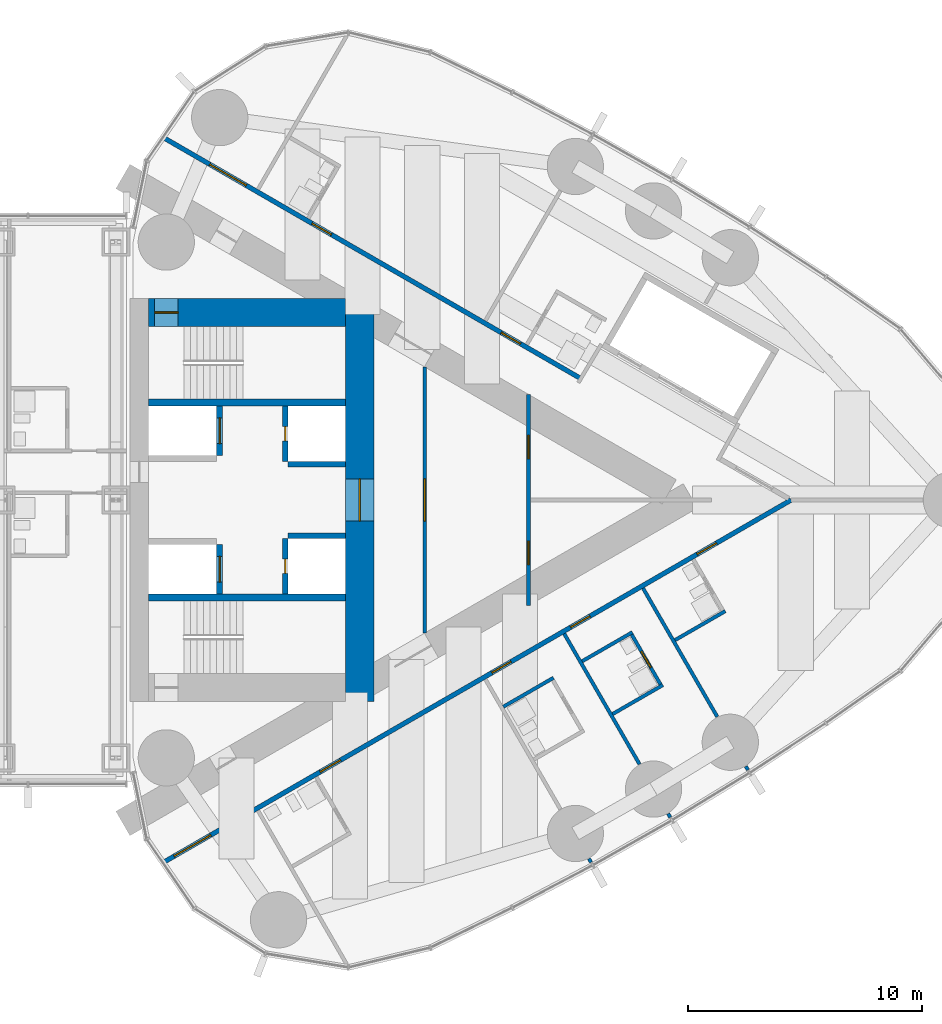
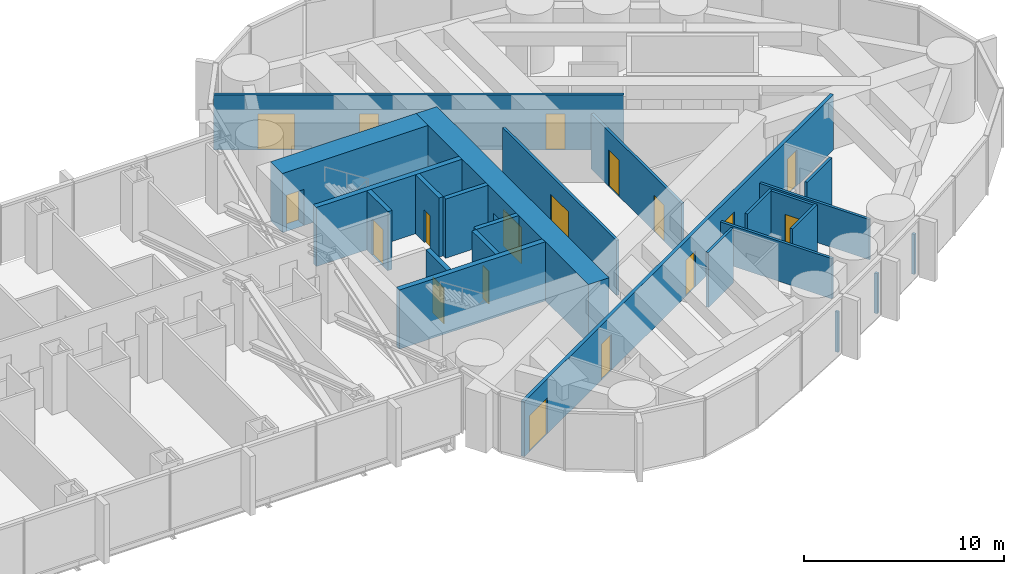
# One storey, part 19 of 23: 24 walls, 18 doors, 18 openings.
"""IFC4 building model written with IfcOpenShell, lengths in metres."""

from ifc_helpers import new_model, si_unit, direction, frame, frame_2d, origin, place, context, subcontext, project, spatial, rectangle, extrude, material, layer, layer_set, type_object, element, fill, save


model = new_model("IFC4")

# Units and contexts
model_context = context("Model", 3, precision=1e-05, world=origin(), true_north=direction((0.0, 1.0)))
body_context = subcontext(model_context, "Body", "Model", "MODEL_VIEW")
ifc_project = project(units=[si_unit("LENGTHUNIT", "METRE"), si_unit("AREAUNIT", "SQUARE_METRE"), si_unit("VOLUMEUNIT", "CUBIC_METRE"), si_unit("PLANEANGLEUNIT", "RADIAN"), si_unit("MASSUNIT", "GRAM", prefix="KILO")], contexts=[model_context])

# Site, building, storey
site_placement = place(None, origin())
site = spatial("IfcSite", under=ifc_project, at=site_placement, CompositionType="ELEMENT")
building_placement = place(site_placement, origin())
building = spatial("IfcBuilding", under=site, at=building_placement, Name="Lancet Gate Hotel", CompositionType="ELEMENT")
storey_placement = place(building_placement, frame((0.0, 0.0, 215.300048828125)))
storey = spatial("IfcBuildingStorey", under=building, at=storey_placement, Name="L57", CompositionType="ELEMENT", Elevation=215.300048828125)

# Walls
ifc_material_1 = material(Name="Moisture resistant board partition")
ifc_layer_1 = layer(ifc_material_1, 0.14990234375)
ifc_layer_set_1 = layer_set([ifc_layer_1], Name="Bathroom wall 150")
wall_type_1 = type_object("IfcWallType", Name="Bathroom wall 150", PredefinedType="PARTITIONING", material=ifc_layer_set_1)
for number, where, z_axis, x_axis, name in (
    (1, (43.424560546875, -8.820556640625, 0.0), (0.0, 0.0, 1.0), (0.866006523861, 0.500032699561, 0.0), "T2 bathroom wall 150 L57"),
    (2, (48.087890625, -9.13037109375, 0.0), (0.0, 0.0, 1.0), (0.86604923931, 0.499958713387, 0.0), "T2 bathroom wall 150 L57"),
):
    element("IfcWall", number, at=place(storey_placement, frame(where, z_axis=z_axis, x_axis=x_axis)), inside=storey, type_object=wall_type_1, Name=name, PredefinedType="PARTITIONING", context=body_context, shape_type="SweptSolid", body=[
        extrude(rectangle(XDim=2.474853515625, YDim=0.14990234375, at=frame_2d((1.2373046875, 0.0))), origin(), (0.0, 0.0, 1.0), 3.349853515625),
    ])

# Wall, opening, door
wall_1_placement = place(storey_placement, frame((48.8662109375, -5.6787109375, 0.0), z_axis=(0.0, 0.0, 1.0), x_axis=(0.500006934395, -0.866021400173, 0.0)))
wall_1 = element("IfcWall", 3, at=wall_1_placement, inside=storey, type_object=wall_type_1, Name="T2 bathroom wall 150 L57", PredefinedType="PARTITIONING", context=body_context, shape_type="SweptSolid", body=[
    extrude(rectangle(XDim=2.60009765625, YDim=0.14990234375, at=frame_2d((1.300048828125, 0.0))), origin(), (0.0, 0.0, 1.0), 3.349853515625),
])
opening_1_placement = place(wall_1_placement, frame((0.89990234375, 0.0, 0.0)))
opening_1 = element("IfcOpeningElement", 4, at=opening_1_placement, cuts=wall_1, Name="Opening 5754-B", PredefinedType="OPENING", context=body_context, shape_type="SweptSolid", body=[
    extrude(rectangle(XDim=0.800048828125, YDim=2.199951171875, at=frame_2d((0.39990234375, 1.10009765625))), frame((0.0, 0.0849609375, 0.0), z_axis=(0.0, -1.0, 0.0), x_axis=(1.0, 0.0, 0.0)), (0.0, 0.0, 1.0), 0.169921875),
])
ifc_material_2 = material(Name="Timber door set", Category="wood")
door_type_1 = type_object("IfcDoorType", Name="Bathroom door 800", OperationType="SINGLE_SWING_RIGHT", PredefinedType="DOOR", material=ifc_material_2)
door_1_placement = place(opening_1_placement, origin())
door_1 = element("IfcDoor", 5, at=door_1_placement, inside=storey, type_object=door_type_1, Name="5754-B", OperationType="SINGLE_SWING_RIGHT", OverallHeight=2.199951171875, OverallWidth=0.800048828125, PredefinedType="DOOR", context=body_context, shape_type="SweptSolid", body=[
    extrude(rectangle(XDim=0.800048828125, YDim=2.199951171875, at=frame_2d((0.39990234375, 1.10009765625))), frame((0.0, 0.02490234375, 0.0), z_axis=(0.0, -1.0, 0.0), x_axis=(1.0, 0.0, 0.0)), (0.0, 0.0, 1.0), 0.050048828125),
])
fill(opening_1, door_1)

# Walls
wall_2_placement = place(storey_placement, frame((46.787841796875, -6.87890625, 0.0), z_axis=(0.0, 0.0, 1.0), x_axis=(0.866006523861, 0.500032699561, 0.0)))
element("IfcWall", 6, at=wall_2_placement, inside=storey, type_object=wall_type_1, Name="T2 bathroom wall 150 L57", PredefinedType="PARTITIONING", context=body_context, shape_type="SweptSolid", body=[
    extrude(rectangle(XDim=2.474853515625, YDim=0.14990234375, at=frame_2d((1.2373046875, 0.0))), origin(), (0.0, 0.0, 1.0), 3.349853515625),
])
wall_3_placement = place(storey_placement, frame((50.75, -5.976806640625, 0.0), z_axis=(0.0, 0.0, 1.0), x_axis=(0.866031185235, 0.4999899861, 0.0)))
element("IfcWall", 7, at=wall_3_placement, inside=storey, type_object=wall_type_1, Name="T2 bathroom wall 150 L57", PredefinedType="PARTITIONING", context=body_context, shape_type="SweptSolid", body=[
    extrude(rectangle(XDim=2.47509765625, YDim=0.14990234375, at=frame_2d((1.237548828125, 0.0))), origin(), (0.0, 0.0, 1.0), 3.349853515625),
])

# Wall, opening, door
ifc_material_3 = material(Name="Concrete C70/85", Category="concrete")
ifc_layer_2 = layer(ifc_material_3, 1.199951171875)
ifc_layer_set_2 = layer_set([ifc_layer_2], Name="Core wall 1200")
wall_type_2 = type_object("IfcWallType", Name="Core wall 1200", PredefinedType="SHEAR", material=ifc_layer_set_2)
wall_4_placement = place(storey_placement, frame((37.300048828125, -8.60009765625, 0.0), z_axis=(0.0, 0.0, 1.0), x_axis=(0.0, 1.0, 0.0)))
wall_4 = element("IfcWall", 8, at=wall_4_placement, inside=storey, type_object=wall_type_2, Name="T2 core wall back L57", PredefinedType="SHEAR", context=body_context, shape_type="SweptSolid", body=[
    extrude(rectangle(XDim=17.2001953125, YDim=1.199951171875, at=frame_2d((8.60009765625, 0.0))), origin(), (0.0, 0.0, 1.0), 3.599853515625),
])
opening_2_placement = place(wall_4_placement, frame((7.699951171875, 0.0, 0.0)))
opening_2 = element("IfcOpeningElement", 9, at=opening_2_placement, cuts=wall_4, Name="Opening T2-L57-LL", PredefinedType="OPENING", context=body_context, shape_type="SweptSolid", body=[
    extrude(rectangle(XDim=1.800048828125, YDim=2.199951171875, at=frame_2d((0.89990234375, 1.10009765625))), frame((0.0, 0.60986328125, 0.0), z_axis=(0.0, -1.0, 0.0), x_axis=(1.0, 0.0, 0.0)), (0.0, 0.0, 1.0), 1.219970703125),
])
ifc_material_4 = material(Name="Timber door set", Category="wood")
door_type_2 = type_object("IfcDoorType", Name="Lobby double door 1800", OperationType="DOUBLE_DOOR_SINGLE_SWING", PredefinedType="DOOR", material=ifc_material_4)
door_2_placement = place(opening_2_placement, origin())
door_2 = element("IfcDoor", 10, at=door_2_placement, inside=storey, type_object=door_type_2, Name="T2-L57-LL", OperationType="DOUBLE_DOOR_SINGLE_SWING", OverallHeight=2.199951171875, OverallWidth=1.800048828125, PredefinedType="DOOR", context=body_context, shape_type="SweptSolid", body=[
    extrude(rectangle(XDim=1.800048828125, YDim=2.199951171875, at=frame_2d((0.89990234375, 1.10009765625))), frame((0.0, 0.02490234375, 0.0), z_axis=(0.0, -1.0, 0.0), x_axis=(1.0, 0.0, 0.0)), (0.0, 0.0, 1.0), 0.050048828125),
])
fill(opening_2, door_2)

wall_5_placement = place(storey_placement, frame((28.300048828125, 8.0, 0.0), z_axis=(0.0, 0.0, 1.0), x_axis=(1.0, 0.0, 0.0)))
wall_5 = element("IfcWall", 11, at=wall_5_placement, inside=storey, type_object=wall_type_2, Name="T2 core wall side-N L57", PredefinedType="SHEAR", context=body_context, shape_type="SweptSolid", body=[
    extrude(rectangle(XDim=8.39990234375, YDim=1.199951171875, at=frame_2d((4.199951171875, 0.0))), origin(), (0.0, 0.0, 1.0), 3.599853515625),
])
opening_3_placement = place(wall_5_placement, frame((0.25, 0.0, 0.0)))
opening_3 = element("IfcOpeningElement", 12, at=opening_3_placement, cuts=wall_5, Name="Opening T2-L57-ST2", PredefinedType="OPENING", context=body_context, shape_type="SweptSolid", body=[
    extrude(rectangle(XDim=1.0, YDim=2.199951171875, at=frame_2d((0.5, 1.10009765625))), frame((0.0, 0.60986328125, 0.0), z_axis=(0.0, -1.0, 0.0), x_axis=(1.0, 0.0, 0.0)), (0.0, 0.0, 1.0), 1.219970703125),
])
ifc_material_5 = material(Name="Timber door set", Category="wood")
door_type_3 = type_object("IfcDoorType", Name="Stair door 1000", OperationType="SINGLE_SWING_RIGHT", PredefinedType="DOOR", material=ifc_material_5)
door_3_placement = place(opening_3_placement, origin())
door_3 = element("IfcDoor", 13, at=door_3_placement, inside=storey, type_object=door_type_3, Name="T2-L57-ST2", OperationType="SINGLE_SWING_RIGHT", OverallHeight=2.199951171875, OverallWidth=1.0, PredefinedType="DOOR", context=body_context, shape_type="SweptSolid", body=[
    extrude(rectangle(XDim=1.0, YDim=2.199951171875, at=frame_2d((0.5, 1.10009765625))), frame((0.0, 0.02490234375, 0.0), z_axis=(0.0, -1.0, 0.0), x_axis=(1.0, 0.0, 0.0)), (0.0, 0.0, 1.0), 0.050048828125),
])
fill(opening_3, door_3)

# Wall, openings, doors
ifc_material_6 = material(Name="Gypsum board partition")
ifc_layer_3 = layer(ifc_material_6, 0.199951171875)
ifc_layer_set_3 = layer_set([ifc_layer_3], Name="Corridor wall 200")
wall_type_3 = type_object("IfcWallType", Name="Corridor wall 200", PredefinedType="PARTITIONING", material=ifc_layer_set_3)
wall_6_placement = place(storey_placement, frame((28.958984375, -15.440185546875, 0.0), z_axis=(0.0, 0.0, 1.0), x_axis=(0.866025227435, 0.500000305447, 0.0)))
wall_6 = element("IfcWall", 14, at=wall_6_placement, inside=storey, type_object=wall_type_3, Name="T2 corridor wall 200 L57", PredefinedType="PARTITIONING", context=body_context, shape_type="SweptSolid", body=[
    extrude(rectangle(XDim=30.88037109375, YDim=0.199951171875, at=frame_2d((15.440185546875, 0.0))), origin(), (0.0, 0.0, 1.0), 3.349853515625),
])
opening_4_placement = place(wall_6_placement, frame((0.493896484375, 0.0, 0.0)))
opening_4 = element("IfcOpeningElement", 15, at=opening_4_placement, cuts=wall_6, Name="Opening 5751-E", PredefinedType="OPENING", context=body_context, shape_type="SweptSolid", body=[
    extrude(rectangle(XDim=1.800048828125, YDim=2.199951171875, at=frame_2d((0.89990234375, 1.10009765625))), frame((0.0, 0.10986328125, 0.0), z_axis=(0.0, -1.0, 0.0), x_axis=(1.0, 0.0, 0.0)), (0.0, 0.0, 1.0), 0.219970703125),
])
opening_5_placement = place(wall_6_placement, frame((7.687255859375, 0.0, 0.0)))
opening_5 = element("IfcOpeningElement", 16, at=opening_5_placement, cuts=wall_6, Name="Opening 5752-E", PredefinedType="OPENING", context=body_context, shape_type="SweptSolid", body=[
    extrude(rectangle(XDim=1.0, YDim=2.199951171875, at=frame_2d((0.5, 1.10009765625))), frame((0.0, 0.10986328125, 0.0), z_axis=(0.0, -1.0, 0.0), x_axis=(1.0, 0.0, 0.0)), (0.0, 0.0, 1.0), 0.219970703125),
])
opening_6_placement = place(wall_6_placement, frame((16.13720703125, 0.0, 0.0)))
opening_6 = element("IfcOpeningElement", 17, at=opening_6_placement, cuts=wall_6, Name="Opening 5753-E", PredefinedType="OPENING", context=body_context, shape_type="SweptSolid", body=[
    extrude(rectangle(XDim=0.949951171875, YDim=2.199951171875, at=frame_2d((0.47509765625, 1.10009765625))), frame((0.0, 0.10986328125, 0.0), z_axis=(0.0, -1.0, 0.0), x_axis=(1.0, 0.0, 0.0)), (0.0, 0.0, 1.0), 0.219970703125),
])
opening_7_placement = place(wall_6_placement, frame((20.020751953125, 0.0, 0.0)))
opening_7 = element("IfcOpeningElement", 18, at=opening_7_placement, cuts=wall_6, Name="Opening 5754-E", PredefinedType="OPENING", context=body_context, shape_type="SweptSolid", body=[
    extrude(rectangle(XDim=0.949951171875, YDim=2.199951171875, at=frame_2d((0.47509765625, 1.10009765625))), frame((0.0, 0.10986328125, 0.0), z_axis=(0.0, -1.0, 0.0), x_axis=(1.0, 0.0, 0.0)), (0.0, 0.0, 1.0), 0.219970703125),
])
opening_8_placement = place(wall_6_placement, frame((26.25341796875, 0.0, 0.0)))
opening_8 = element("IfcOpeningElement", 19, at=opening_8_placement, cuts=wall_6, Name="Opening 5755-E", PredefinedType="OPENING", context=body_context, shape_type="SweptSolid", body=[
    extrude(rectangle(XDim=0.949951171875, YDim=2.199951171875, at=frame_2d((0.47509765625, 1.10009765625))), frame((0.0, 0.10986328125, 0.0), z_axis=(0.0, -1.0, 0.0), x_axis=(1.0, 0.0, 0.0)), (0.0, 0.0, 1.0), 0.219970703125),
])
ifc_material_7 = material(Name="Timber door set", Category="wood")
door_type_4 = type_object("IfcDoorType", Name="Accessible guest room door 1000", OperationType="SINGLE_SWING_LEFT", PredefinedType="DOOR", material=ifc_material_7)
door_4_placement = place(opening_5_placement, origin())
door_4 = element("IfcDoor", 20, at=door_4_placement, inside=storey, type_object=door_type_4, Name="5752-E", OperationType="SINGLE_SWING_LEFT", OverallHeight=2.199951171875, OverallWidth=1.0, PredefinedType="DOOR", context=body_context, shape_type="SweptSolid", body=[
    extrude(rectangle(XDim=1.0, YDim=2.199951171875, at=frame_2d((0.5, 1.10009765625))), frame((0.0, 0.02490234375, 0.0), z_axis=(0.0, -1.0, 0.0), x_axis=(1.0, 0.0, 0.0)), (0.0, 0.0, 1.0), 0.050048828125),
])
fill(opening_5, door_4)
ifc_material_8 = material(Name="Timber door set", Category="wood")
door_type_5 = type_object("IfcDoorType", Name="Double door 1800", OperationType="DOUBLE_DOOR_SINGLE_SWING", PredefinedType="DOOR", material=ifc_material_8)
door_5_placement = place(opening_4_placement, origin())
door_5 = element("IfcDoor", 21, at=door_5_placement, inside=storey, type_object=door_type_5, Name="5751-E", OperationType="DOUBLE_DOOR_SINGLE_SWING", OverallHeight=2.199951171875, OverallWidth=1.800048828125, PredefinedType="DOOR", context=body_context, shape_type="SweptSolid", body=[
    extrude(rectangle(XDim=1.800048828125, YDim=2.199951171875, at=frame_2d((0.89990234375, 1.10009765625))), frame((0.0, 0.02490234375, 0.0), z_axis=(0.0, -1.0, 0.0), x_axis=(1.0, 0.0, 0.0)), (0.0, 0.0, 1.0), 0.050048828125),
])
fill(opening_4, door_5)
ifc_material_9 = material(Name="Timber door set", Category="wood")
door_type_6 = type_object("IfcDoorType", Name="Guest room entry door 950", OperationType="SINGLE_SWING_LEFT", PredefinedType="DOOR", material=ifc_material_9)
door_6_placement = place(opening_6_placement, origin())
door_6 = element("IfcDoor", 22, at=door_6_placement, inside=storey, type_object=door_type_6, Name="5753-E", OperationType="SINGLE_SWING_LEFT", OverallHeight=2.199951171875, OverallWidth=0.949951171875, PredefinedType="DOOR", context=body_context, shape_type="SweptSolid", body=[
    extrude(rectangle(XDim=0.949951171875, YDim=2.199951171875, at=frame_2d((0.47509765625, 1.10009765625))), frame((0.0, 0.02490234375, 0.0), z_axis=(0.0, -1.0, 0.0), x_axis=(1.0, 0.0, 0.0)), (0.0, 0.0, 1.0), 0.050048828125),
])
fill(opening_6, door_6)
door_7_placement = place(opening_7_placement, origin())
door_7 = element("IfcDoor", 23, at=door_7_placement, inside=storey, type_object=door_type_6, Name="5754-E", OperationType="SINGLE_SWING_LEFT", OverallHeight=2.199951171875, OverallWidth=0.949951171875, PredefinedType="DOOR", context=body_context, shape_type="SweptSolid", body=[
    extrude(rectangle(XDim=0.949951171875, YDim=2.199951171875, at=frame_2d((0.47509765625, 1.10009765625))), frame((0.0, 0.02490234375, 0.0), z_axis=(0.0, -1.0, 0.0), x_axis=(1.0, 0.0, 0.0)), (0.0, 0.0, 1.0), 0.050048828125),
])
fill(opening_7, door_7)
door_8_placement = place(opening_8_placement, origin())
door_8 = element("IfcDoor", 24, at=door_8_placement, inside=storey, type_object=door_type_6, Name="5755-E", OperationType="SINGLE_SWING_LEFT", OverallHeight=2.199951171875, OverallWidth=0.949951171875, PredefinedType="DOOR", context=body_context, shape_type="SweptSolid", body=[
    extrude(rectangle(XDim=0.949951171875, YDim=2.199951171875, at=frame_2d((0.47509765625, 1.10009765625))), frame((0.0, 0.02490234375, 0.0), z_axis=(0.0, -1.0, 0.0), x_axis=(1.0, 0.0, 0.0)), (0.0, 0.0, 1.0), 0.050048828125),
])
fill(opening_8, door_8)

wall_7_placement = place(storey_placement, frame((28.958984375, 15.440185546875, 0.0), z_axis=(0.0, 0.0, 1.0), x_axis=(0.866028936079, -0.499993881836, 0.0)))
wall_7 = element("IfcWall", 25, at=wall_7_placement, inside=storey, type_object=wall_type_3, Name="T2 corridor wall 200 L57", PredefinedType="PARTITIONING", context=body_context, shape_type="SweptSolid", body=[
    extrude(rectangle(XDim=20.503173828125, YDim=0.199951171875, at=frame_2d((10.25146484375, 0.0))), origin(), (0.0, 0.0, 1.0), 3.349853515625),
])
opening_9_placement = place(wall_7_placement, frame((16.60302734375, 0.0, 0.0)))
opening_9 = element("IfcOpeningElement", 26, at=opening_9_placement, cuts=wall_7, Name="Opening 5758-E", PredefinedType="OPENING", context=body_context, shape_type="SweptSolid", body=[
    extrude(rectangle(XDim=0.949951171875, YDim=2.199951171875, at=frame_2d((0.47509765625, 1.10009765625))), frame((0.0, 0.10986328125, 0.0), z_axis=(0.0, -1.0, 0.0), x_axis=(1.0, 0.0, 0.0)), (0.0, 0.0, 1.0), 0.219970703125),
])
opening_10_placement = place(wall_7_placement, frame((7.287109375, 0.0, 0.0)))
opening_10 = element("IfcOpeningElement", 27, at=opening_10_placement, cuts=wall_7, Name="Opening 5759-E", PredefinedType="OPENING", context=body_context, shape_type="SweptSolid", body=[
    extrude(rectangle(XDim=0.949951171875, YDim=2.199951171875, at=frame_2d((0.47509765625, 1.10009765625))), frame((0.0, 0.10986328125, 0.0), z_axis=(0.0, -1.0, 0.0), x_axis=(1.0, 0.0, 0.0)), (0.0, 0.0, 1.0), 0.219970703125),
])
opening_11_placement = place(wall_7_placement, frame((2.243896484375, 0.0, 0.0)))
opening_11 = element("IfcOpeningElement", 28, at=opening_11_placement, cuts=wall_7, Name="Opening 5760-E", PredefinedType="OPENING", context=body_context, shape_type="SweptSolid", body=[
    extrude(rectangle(XDim=1.800048828125, YDim=2.199951171875, at=frame_2d((0.89990234375, 1.10009765625))), frame((0.0, 0.10986328125, 0.0), z_axis=(0.0, -1.0, 0.0), x_axis=(1.0, 0.0, 0.0)), (0.0, 0.0, 1.0), 0.219970703125),
])
door_9_placement = place(opening_11_placement, origin())
door_9 = element("IfcDoor", 29, at=door_9_placement, inside=storey, type_object=door_type_5, Name="5760-E", OperationType="DOUBLE_DOOR_SINGLE_SWING", OverallHeight=2.199951171875, OverallWidth=1.800048828125, PredefinedType="DOOR", context=body_context, shape_type="SweptSolid", body=[
    extrude(rectangle(XDim=1.800048828125, YDim=2.199951171875, at=frame_2d((0.89990234375, 1.10009765625))), frame((0.0, 0.02490234375, 0.0), z_axis=(0.0, -1.0, 0.0), x_axis=(1.0, 0.0, 0.0)), (0.0, 0.0, 1.0), 0.050048828125),
])
fill(opening_11, door_9)
door_10_placement = place(opening_9_placement, origin())
door_10 = element("IfcDoor", 30, at=door_10_placement, inside=storey, type_object=door_type_6, Name="5758-E", OperationType="SINGLE_SWING_LEFT", OverallHeight=2.199951171875, OverallWidth=0.949951171875, PredefinedType="DOOR", context=body_context, shape_type="SweptSolid", body=[
    extrude(rectangle(XDim=0.949951171875, YDim=2.199951171875, at=frame_2d((0.47509765625, 1.10009765625))), frame((0.0, 0.02490234375, 0.0), z_axis=(0.0, -1.0, 0.0), x_axis=(1.0, 0.0, 0.0)), (0.0, 0.0, 1.0), 0.050048828125),
])
fill(opening_9, door_10)
door_11_placement = place(opening_10_placement, origin())
door_11 = element("IfcDoor", 31, at=door_11_placement, inside=storey, type_object=door_type_6, Name="5759-E", OperationType="SINGLE_SWING_LEFT", OverallHeight=2.199951171875, OverallWidth=0.949951171875, PredefinedType="DOOR", context=body_context, shape_type="SweptSolid", body=[
    extrude(rectangle(XDim=0.949951171875, YDim=2.199951171875, at=frame_2d((0.47509765625, 1.10009765625))), frame((0.0, 0.02490234375, 0.0), z_axis=(0.0, -1.0, 0.0), x_axis=(1.0, 0.0, 0.0)), (0.0, 0.0, 1.0), 0.050048828125),
])
fill(opening_10, door_11)

# Wall, opening, door
ifc_material_10 = material(Name="Concrete C50/60", Category="concrete")
ifc_layer_4 = layer(ifc_material_10, 0.25)
ifc_layer_set_4 = layer_set([ifc_layer_4], Name="Lift shaft wall 250")
wall_type_4 = type_object("IfcWallType", Name="Lift shaft wall 250", PredefinedType="SHEAR", material=ifc_layer_set_4)
wall_8_placement = place(storey_placement, frame((31.324951171875, -4.0, 0.0), z_axis=(0.0, 0.0, 1.0), x_axis=(0.0, 1.0, 0.0)))
wall_8 = element("IfcWall", 32, at=wall_8_placement, inside=storey, type_object=wall_type_4, Name="T2 core wall row1-S L57", PredefinedType="SHEAR", context=body_context, shape_type="SweptSolid", body=[
    extrude(rectangle(XDim=2.10009765625, YDim=0.25, at=frame_2d((1.050048828125, 0.0))), origin(), (0.0, 0.0, 1.0), 3.599853515625),
])
opening_12_placement = place(wall_8_placement, frame((0.5, 0.0, 0.0)))
opening_12 = element("IfcOpeningElement", 33, at=opening_12_placement, cuts=wall_8, Name="Opening T2-SL1-L57", PredefinedType="OPENING", context=body_context, shape_type="SweptSolid", body=[
    extrude(rectangle(XDim=1.10009765625, YDim=2.199951171875, at=frame_2d((0.550048828125, 1.10009765625))), frame((0.0, 0.135009765625, 0.0), z_axis=(0.0, -1.0, 0.0), x_axis=(1.0, 0.0, 0.0)), (0.0, 0.0, 1.0), 0.27001953125),
])
ifc_material_11 = material(Name="Timber door set", Category="wood")
door_type_7 = type_object("IfcDoorType", Name="Service lift landing door 1100", OperationType="SLIDING_TO_LEFT", PredefinedType="USERDEFINED", material=ifc_material_11)
door_12_placement = place(opening_12_placement, origin())
door_12 = element("IfcDoor", 34, at=door_12_placement, inside=storey, type_object=door_type_7, Name="T2-SL1-L57", ObjectType="LIFT LANDING DOOR", OperationType="SLIDING_TO_LEFT", OverallHeight=2.199951171875, OverallWidth=1.10009765625, PredefinedType="USERDEFINED", context=body_context, shape_type="SweptSolid", body=[
    extrude(rectangle(XDim=1.10009765625, YDim=2.199951171875, at=frame_2d((0.550048828125, 1.10009765625))), frame((0.0, 0.02490234375, 0.0), z_axis=(0.0, -1.0, 0.0), x_axis=(1.0, 0.0, 0.0)), (0.0, 0.0, 1.0), 0.050048828125),
])
fill(opening_12, door_12)

wall_9_placement = place(storey_placement, frame((34.125, -4.0, 0.0), z_axis=(0.0, 0.0, 1.0), x_axis=(0.0, 1.0, 0.0)))
wall_9 = element("IfcWall", 35, at=wall_9_placement, inside=storey, type_object=wall_type_4, Name="T2 core wall row2-S L57", PredefinedType="SHEAR", context=body_context, shape_type="SweptSolid", body=[
    extrude(rectangle(XDim=2.35009765625, YDim=0.25, at=frame_2d((1.175048828125, 0.0))), origin(), (0.0, 0.0, 1.0), 3.599853515625),
])
opening_13_placement = place(wall_9_placement, frame((0.875, 0.0, 0.0)))
opening_13 = element("IfcOpeningElement", 36, at=opening_13_placement, cuts=wall_9, Name="Opening T2-OL3-L57-E", PredefinedType="OPENING", context=body_context, shape_type="SweptSolid", body=[
    extrude(rectangle(XDim=0.60009765625, YDim=2.0, at=frame_2d((0.300048828125, 1.0))), frame((0.0, 0.135009765625, 0.0), z_axis=(0.0, -1.0, 0.0), x_axis=(1.0, 0.0, 0.0)), (0.0, 0.0, 1.0), 0.27001953125),
])
ifc_material_12 = material(Name="Steel door set", Category="steel")
door_type_8 = type_object("IfcDoorType", Name="Lift shaft emergency door 600x2000", OperationType="SLIDING_TO_LEFT", PredefinedType="DOOR", material=ifc_material_12)
door_13_placement = place(opening_13_placement, origin())
door_13 = element("IfcDoor", 37, at=door_13_placement, inside=storey, type_object=door_type_8, Name="T2-OL3-L57-E", OperationType="SLIDING_TO_LEFT", OverallHeight=2.0, OverallWidth=0.60009765625, PredefinedType="DOOR", context=body_context, shape_type="SweptSolid", body=[
    extrude(rectangle(XDim=0.60009765625, YDim=2.0, at=frame_2d((0.300048828125, 1.0))), frame((0.0, 0.02490234375, 0.0), z_axis=(0.0, -1.0, 0.0), x_axis=(1.0, 0.0, 0.0)), (0.0, 0.0, 1.0), 0.050048828125),
])
fill(opening_13, door_13)

# Wall
wall_10_placement = place(storey_placement, frame((34.25, -1.52490234375, 0.0), z_axis=(0.0, 0.0, 1.0), x_axis=(1.0, 0.0, 0.0)))
element("IfcWall", 38, at=wall_10_placement, inside=storey, type_object=wall_type_4, Name="T2 core wall pass2-S L57", PredefinedType="SHEAR", context=body_context, shape_type="SweptSolid", body=[
    extrude(rectangle(XDim=2.449951171875, YDim=0.25, at=frame_2d((1.22509765625, 0.0))), origin(), (0.0, 0.0, 1.0), 3.599853515625),
])

# Wall, opening, door
wall_11_placement = place(storey_placement, frame((31.324951171875, 1.89990234375, 0.0), z_axis=(0.0, 0.0, 1.0), x_axis=(0.0, 1.0, 0.0)))
wall_11 = element("IfcWall", 39, at=wall_11_placement, inside=storey, type_object=wall_type_4, Name="T2 core wall row1-N L57", PredefinedType="SHEAR", context=body_context, shape_type="SweptSolid", body=[
    extrude(rectangle(XDim=2.10009765625, YDim=0.25, at=frame_2d((1.050048828125, 0.0))), origin(), (0.0, 0.0, 1.0), 3.599853515625),
])
opening_14_placement = place(wall_11_placement, frame((0.5, 0.0, 0.0)))
opening_14 = element("IfcOpeningElement", 40, at=opening_14_placement, cuts=wall_11, Name="Opening T2-FL2-L57", PredefinedType="OPENING", context=body_context, shape_type="SweptSolid", body=[
    extrude(rectangle(XDim=1.10009765625, YDim=2.199951171875, at=frame_2d((0.550048828125, 1.10009765625))), frame((0.0, 0.135009765625, 0.0), z_axis=(0.0, -1.0, 0.0), x_axis=(1.0, 0.0, 0.0)), (0.0, 0.0, 1.0), 0.27001953125),
])
ifc_material_13 = material(Name="Steel door set", Category="steel")
door_type_9 = type_object("IfcDoorType", Name="Firefighting lift landing door 1100", OperationType="SLIDING_TO_LEFT", PredefinedType="USERDEFINED", material=ifc_material_13)
door_14_placement = place(opening_14_placement, origin())
door_14 = element("IfcDoor", 41, at=door_14_placement, inside=storey, type_object=door_type_9, Name="T2-FL2-L57", ObjectType="LIFT LANDING DOOR", OperationType="SLIDING_TO_LEFT", OverallHeight=2.199951171875, OverallWidth=1.10009765625, PredefinedType="USERDEFINED", context=body_context, shape_type="SweptSolid", body=[
    extrude(rectangle(XDim=1.10009765625, YDim=2.199951171875, at=frame_2d((0.550048828125, 1.10009765625))), frame((0.0, 0.02490234375, 0.0), z_axis=(0.0, -1.0, 0.0), x_axis=(1.0, 0.0, 0.0)), (0.0, 0.0, 1.0), 0.050048828125),
])
fill(opening_14, door_14)

wall_12_placement = place(storey_placement, frame((34.125, 1.64990234375, 0.0), z_axis=(0.0, 0.0, 1.0), x_axis=(0.0, 1.0, 0.0)))
wall_12 = element("IfcWall", 42, at=wall_12_placement, inside=storey, type_object=wall_type_4, Name="T2 core wall row2-N L57", PredefinedType="SHEAR", context=body_context, shape_type="SweptSolid", body=[
    extrude(rectangle(XDim=2.35009765625, YDim=0.25, at=frame_2d((1.175048828125, 0.0))), origin(), (0.0, 0.0, 1.0), 3.599853515625),
])
opening_15_placement = place(wall_12_placement, frame((0.875, 0.0, 0.0)))
opening_15 = element("IfcOpeningElement", 43, at=opening_15_placement, cuts=wall_12, Name="Opening T2-OL4-L57-E", PredefinedType="OPENING", context=body_context, shape_type="SweptSolid", body=[
    extrude(rectangle(XDim=0.60009765625, YDim=2.0, at=frame_2d((0.300048828125, 1.0))), frame((0.0, 0.135009765625, 0.0), z_axis=(0.0, -1.0, 0.0), x_axis=(1.0, 0.0, 0.0)), (0.0, 0.0, 1.0), 0.27001953125),
])
door_15_placement = place(opening_15_placement, origin())
door_15 = element("IfcDoor", 44, at=door_15_placement, inside=storey, type_object=door_type_8, Name="T2-OL4-L57-E", OperationType="SLIDING_TO_LEFT", OverallHeight=2.0, OverallWidth=0.60009765625, PredefinedType="DOOR", context=body_context, shape_type="SweptSolid", body=[
    extrude(rectangle(XDim=0.60009765625, YDim=2.0, at=frame_2d((0.300048828125, 1.0))), frame((0.0, 0.02490234375, 0.0), z_axis=(0.0, -1.0, 0.0), x_axis=(1.0, 0.0, 0.0)), (0.0, 0.0, 1.0), 0.050048828125),
])
fill(opening_15, door_15)

# Walls
wall_13_placement = place(storey_placement, frame((34.25, 1.52490234375, 0.0), z_axis=(0.0, 0.0, 1.0), x_axis=(1.0, 0.0, 0.0)))
element("IfcWall", 45, at=wall_13_placement, inside=storey, type_object=wall_type_4, Name="T2 core wall pass2-N L57", PredefinedType="SHEAR", context=body_context, shape_type="SweptSolid", body=[
    extrude(rectangle(XDim=2.449951171875, YDim=0.25, at=frame_2d((1.22509765625, 0.0))), origin(), (0.0, 0.0, 1.0), 3.599853515625),
])
ifc_material_14 = material(Name="Gypsum board partition")
ifc_layer_5 = layer(ifc_material_14, 0.14990234375)
ifc_layer_set_5 = layer_set([ifc_layer_5], Name="Party wall 150")
wall_type_5 = type_object("IfcWallType", Name="Party wall 150", PredefinedType="PARTITIONING", material=ifc_layer_set_5)
wall_14_placement = place(storey_placement, frame((47.078857421875, -15.2998046875, 0.0), z_axis=(0.0, 0.0, 1.0), x_axis=(0.499212083968, -0.866479829667, 0.0)))
element("IfcWall", 46, at=wall_14_placement, inside=storey, type_object=wall_type_5, Name="T2 party wall 150 L57", PredefinedType="PARTITIONING", context=body_context, shape_type="SweptSolid", body=[
    extrude(rectangle(XDim=0.179443359375, YDim=0.14990234375, at=frame_2d((0.08984375, 0.0))), origin(), (0.0, 0.0, 1.0), 2.449951171875),
])
wall_15_placement = place(storey_placement, frame((46.02294921875, -5.703857421875, 0.0), z_axis=(0.0, 0.0, 1.0), x_axis=(0.499984478165, -0.866034365135, 0.0)))
element("IfcWall", 47, at=wall_15_placement, inside=storey, type_object=wall_type_5, Name="T2 party wall 150 L57", PredefinedType="PARTITIONING", context=body_context, shape_type="SweptSolid", body=[
    extrude(rectangle(XDim=6.425537109375, YDim=0.14990234375, at=frame_2d((3.212890625, 0.0))), origin(), (0.0, 0.0, 1.0), 2.449951171875),
])
wall_16_placement = place(storey_placement, frame((50.45556640625, -13.381591796875, 0.0), z_axis=(0.0, 0.0, 1.0), x_axis=(0.500661834965, -0.865642955848, 0.0)))
element("IfcWall", 48, at=wall_16_placement, inside=storey, type_object=wall_type_5, Name="T2 party wall 150 L57", PredefinedType="PARTITIONING", context=body_context, shape_type="SweptSolid", body=[
    extrude(rectangle(XDim=0.179931640625, YDim=0.14990234375, at=frame_2d((0.08984375, 0.0))), origin(), (0.0, 0.0, 1.0), 2.449951171875),
])
wall_17_placement = place(storey_placement, frame((49.38525390625, -3.7626953125, 0.0), z_axis=(0.0, 0.0, 1.0), x_axis=(0.499999447814, -0.866025722589, 0.0)))
element("IfcWall", 49, at=wall_17_placement, inside=storey, type_object=wall_type_5, Name="T2 party wall 150 L57", PredefinedType="PARTITIONING", context=body_context, shape_type="SweptSolid", body=[
    extrude(rectangle(XDim=6.33251953125, YDim=0.14990234375, at=frame_2d((3.166259765625, 0.0))), origin(), (0.0, 0.0, 1.0), 2.449951171875),
])
wall_18_placement = place(storey_placement, frame((53.771484375, -11.35986328125, 0.0), z_axis=(0.0, 0.0, 1.0), x_axis=(0.499524978789, -0.866299483762, 0.0)))
element("IfcWall", 50, at=wall_18_placement, inside=storey, type_object=wall_type_5, Name="T2 party wall 150 L57", PredefinedType="PARTITIONING", context=body_context, shape_type="SweptSolid", body=[
    extrude(rectangle(XDim=0.178466796875, YDim=0.14990234375, at=frame_2d((0.08935546875, 0.0))), origin(), (0.0, 0.0, 1.0), 2.449951171875),
])

# Wall, opening, door
ifc_material_15 = material(Name="Gypsum board partition")
ifc_layer_6 = layer(ifc_material_15, 0.14990234375)
ifc_layer_set_6 = layer_set([ifc_layer_6], Name="Service room wall 150")
wall_type_6 = type_object("IfcWallType", Name="Service room wall 150", PredefinedType="PARTITIONING", material=ifc_layer_set_6)
wall_19_placement = place(storey_placement, frame((40.074951171875, -5.673828125, 0.0), z_axis=(0.0, 0.0, 1.0), x_axis=(0.0, 1.0, 0.0)))
wall_19 = element("IfcWall", 51, at=wall_19_placement, inside=storey, type_object=wall_type_6, Name="T2 service room wall 150 L57", PredefinedType="PARTITIONING", context=body_context, shape_type="SweptSolid", body=[
    extrude(rectangle(XDim=11.34765625, YDim=0.14990234375, at=frame_2d((5.673828125, 0.0))), origin(), (0.0, 0.0, 1.0), 3.349853515625),
])
opening_16_placement = place(wall_19_placement, frame((4.773681640625, 0.0, 0.0)))
opening_16 = element("IfcOpeningElement", 52, at=opening_16_placement, cuts=wall_19, Name="Opening T2-L57-LH", PredefinedType="OPENING", context=body_context, shape_type="SweptSolid", body=[
    extrude(rectangle(XDim=1.800048828125, YDim=2.199951171875, at=frame_2d((0.89990234375, 1.10009765625))), frame((0.0, 0.0849609375, 0.0), z_axis=(0.0, -1.0, 0.0), x_axis=(1.0, 0.0, 0.0)), (0.0, 0.0, 1.0), 0.169921875),
])
door_16_placement = place(opening_16_placement, origin())
door_16 = element("IfcDoor", 53, at=door_16_placement, inside=storey, type_object=door_type_2, Name="T2-L57-LH", OperationType="DOUBLE_DOOR_SINGLE_SWING", OverallHeight=2.199951171875, OverallWidth=1.800048828125, PredefinedType="DOOR", context=body_context, shape_type="SweptSolid", body=[
    extrude(rectangle(XDim=1.800048828125, YDim=2.199951171875, at=frame_2d((0.89990234375, 1.10009765625))), frame((0.0, 0.02490234375, 0.0), z_axis=(0.0, -1.0, 0.0), x_axis=(1.0, 0.0, 0.0)), (0.0, 0.0, 1.0), 0.050048828125),
])
fill(opening_16, door_16)

# Wall, openings, doors
wall_20_placement = place(storey_placement, frame((44.5, -4.504638671875, 0.0), z_axis=(0.0, 0.0, 1.0), x_axis=(0.0, 1.0, 0.0)))
wall_20 = element("IfcWall", 54, at=wall_20_placement, inside=storey, type_object=wall_type_6, Name="T2 service room wall 150 L57", PredefinedType="PARTITIONING", context=body_context, shape_type="SweptSolid", body=[
    extrude(rectangle(XDim=9.00927734375, YDim=0.14990234375, at=frame_2d((4.504638671875, 0.0))), origin(), (0.0, 0.0, 1.0), 3.349853515625),
])
opening_17_placement = place(wall_20_placement, frame((1.752197265625, 0.0, 0.0)))
opening_17 = element("IfcOpeningElement", 55, at=opening_17_placement, cuts=wall_20, Name="Opening T2-L57-SV", PredefinedType="OPENING", context=body_context, shape_type="SweptSolid", body=[
    extrude(rectangle(XDim=1.0, YDim=2.199951171875, at=frame_2d((0.5, 1.10009765625))), frame((0.0, 0.0849609375, 0.0), z_axis=(0.0, -1.0, 0.0), x_axis=(1.0, 0.0, 0.0)), (0.0, 0.0, 1.0), 0.169921875),
])
opening_18_placement = place(wall_20_placement, frame((6.2568359375, 0.0, 0.0)))
opening_18 = element("IfcOpeningElement", 56, at=opening_18_placement, cuts=wall_20, Name="Opening T2-L57-SV2", PredefinedType="OPENING", context=body_context, shape_type="SweptSolid", body=[
    extrude(rectangle(XDim=1.0, YDim=2.199951171875, at=frame_2d((0.5, 1.10009765625))), frame((0.0, 0.0849609375, 0.0), z_axis=(0.0, -1.0, 0.0), x_axis=(1.0, 0.0, 0.0)), (0.0, 0.0, 1.0), 0.169921875),
])
ifc_material_16 = material(Name="Timber door set", Category="wood")
door_type_10 = type_object("IfcDoorType", Name="Service door 1000", OperationType="SINGLE_SWING_LEFT", PredefinedType="DOOR", material=ifc_material_16)
door_17_placement = place(opening_17_placement, origin())
door_17 = element("IfcDoor", 57, at=door_17_placement, inside=storey, type_object=door_type_10, Name="T2-L57-SV", OperationType="SINGLE_SWING_LEFT", OverallHeight=2.199951171875, OverallWidth=1.0, PredefinedType="DOOR", context=body_context, shape_type="SweptSolid", body=[
    extrude(rectangle(XDim=1.0, YDim=2.199951171875, at=frame_2d((0.5, 1.10009765625))), frame((0.0, 0.02490234375, 0.0), z_axis=(0.0, -1.0, 0.0), x_axis=(1.0, 0.0, 0.0)), (0.0, 0.0, 1.0), 0.050048828125),
])
fill(opening_17, door_17)
door_18_placement = place(opening_18_placement, origin())
door_18 = element("IfcDoor", 58, at=door_18_placement, inside=storey, type_object=door_type_10, Name="T2-L57-SV2", OperationType="SINGLE_SWING_LEFT", OverallHeight=2.199951171875, OverallWidth=1.0, PredefinedType="DOOR", context=body_context, shape_type="SweptSolid", body=[
    extrude(rectangle(XDim=1.0, YDim=2.199951171875, at=frame_2d((0.5, 1.10009765625))), frame((0.0, 0.02490234375, 0.0), z_axis=(0.0, -1.0, 0.0), x_axis=(1.0, 0.0, 0.0)), (0.0, 0.0, 1.0), 0.050048828125),
])
fill(opening_18, door_18)

# Walls
ifc_material_17 = material(Name="Concrete C50/60", Category="concrete")
ifc_layer_7 = layer(ifc_material_17, 0.300048828125)
ifc_layer_set_7 = layer_set([ifc_layer_7], Name="Stair enclosure wall 300")
wall_type_7 = type_object("IfcWallType", Name="Stair enclosure wall 300", PredefinedType="SHEAR", material=ifc_layer_set_7)
for number, where, z_axis, x_axis, name in (
    (59, (28.300048828125, -4.14990234375, 0.0), (0.0, 0.0, 1.0), (1.0, 0.0, 0.0), "T2 core wall stair-S L57"),
    (60, (28.300048828125, 4.14990234375, 0.0), (0.0, 0.0, 1.0), (1.0, 0.0, 0.0), "T2 core wall stair-N L57"),
):
    element("IfcWall", number, at=place(storey_placement, frame(where, z_axis=z_axis, x_axis=x_axis)), inside=storey, type_object=wall_type_7, Name=name, PredefinedType="SHEAR", context=body_context, shape_type="SweptSolid", body=[
        extrude(rectangle(XDim=8.39990234375, YDim=0.300048828125, at=frame_2d((4.199951171875, 0.0))), origin(), (0.0, 0.0, 1.0), 3.599853515625),
    ])

save(model, "model.ifc")
